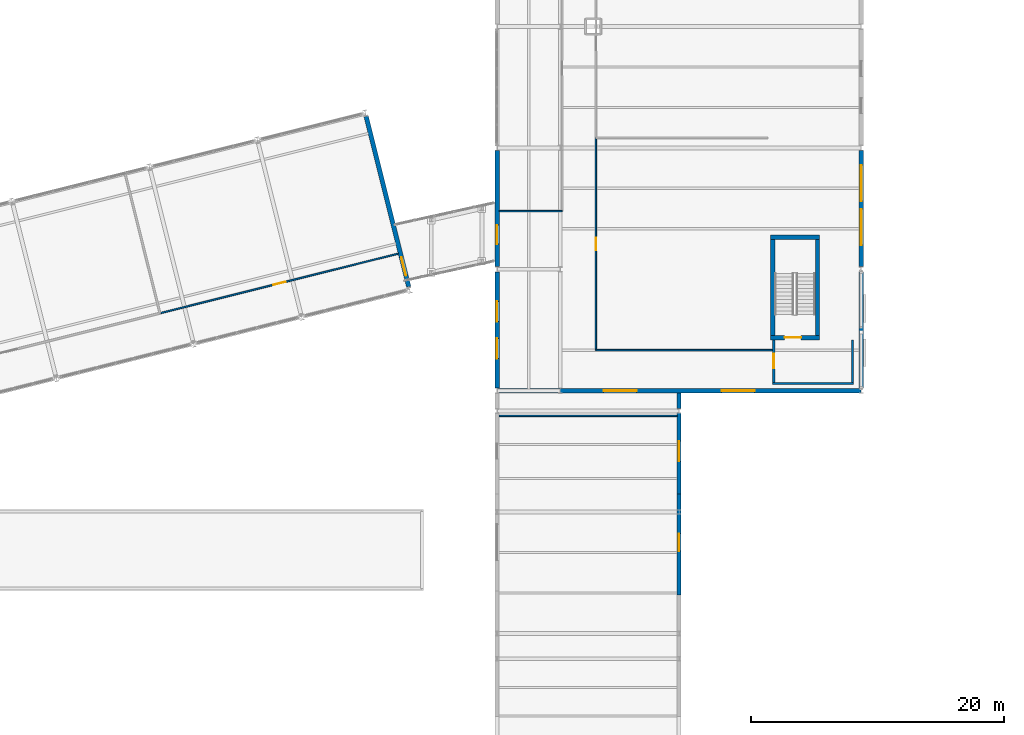
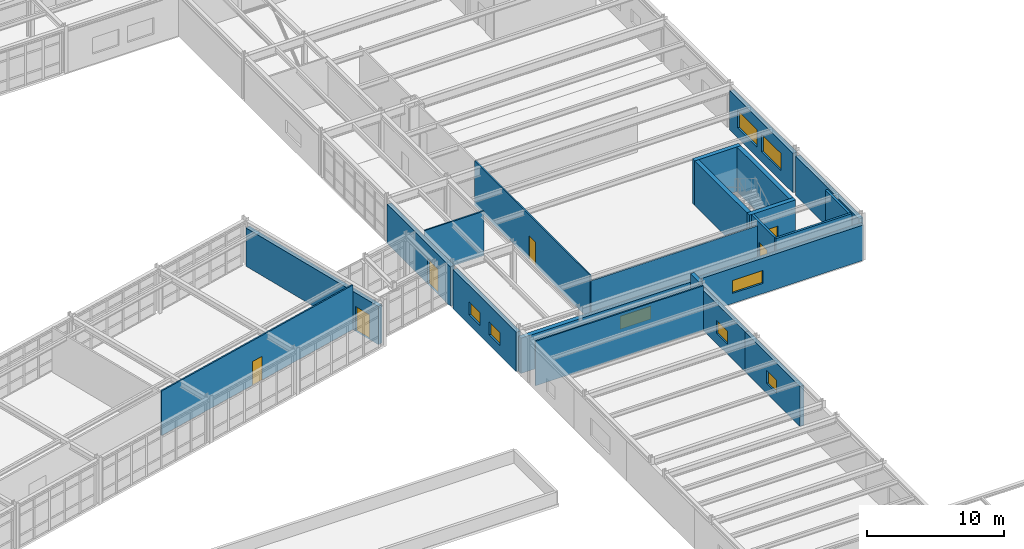
# One storey, part 83 of 99: 21 walls, 8 windows, 6 doors, 14 openings.
"""IFC4 building model written with IfcOpenShell, lengths in metres."""

from ifc_helpers import new_model, si_unit, direction, frame, frame_2d, origin, place, context, subcontext, project, spatial, rectangle, extrude, material, layer, layer_set, type_object, element, fill, save


model = new_model("IFC4")

# Units and contexts
model_context = context("Model", 3, precision=1e-05, world=origin(), true_north=direction((0.0, 1.0)))
body_context = subcontext(model_context, "Body", "Model", "MODEL_VIEW")
ifc_project = project(units=[si_unit("LENGTHUNIT", "METRE"), si_unit("AREAUNIT", "SQUARE_METRE"), si_unit("VOLUMEUNIT", "CUBIC_METRE"), si_unit("PLANEANGLEUNIT", "RADIAN"), si_unit("MASSUNIT", "GRAM", prefix="KILO")], contexts=[model_context])

# Site, building, storey
site_placement = place(None, origin())
site = spatial("IfcSite", under=ifc_project, at=site_placement, CompositionType="ELEMENT")
building_placement = place(site_placement, origin())
building = spatial("IfcBuilding", under=site, at=building_placement, Name="Nordkorset Police Headquarters", CompositionType="ELEMENT")
storey_placement = place(building_placement, frame((0.0, 0.0, 5.25)))
storey = spatial("IfcBuildingStorey", under=building, at=storey_placement, Name="L01", CompositionType="ELEMENT", Elevation=5.25)

# Wall
ifc_material_1 = material(Name="Gypsum board", Category="gypsum")
ifc_layer_1 = layer(ifc_material_1, 0.179931640625, Name="Gypsum board")
ifc_layer_set_1 = layer_set([ifc_layer_1], Name="Gypsum board")
wall_type_1 = type_object("IfcWallType", Name="Wall_Comp_180", PredefinedType="PARTITIONING", material=ifc_layer_set_1)
wall_1_placement = place(storey_placement, frame((108.199951171875, 48.56005859375, 0.0), z_axis=(0.0, 0.0, 1.0), x_axis=(1.0, 0.0, 0.0)))
element("IfcWall", 1, at=wall_1_placement, inside=storey, type_object=wall_type_1, Name="Firefighting Lobby EI 60 Wall K8 L01 S", PredefinedType="PARTITIONING", context=body_context, shape_type="SweptSolid", body=[
    extrude(rectangle(XDim=6.400146484375, YDim=0.179931640625, at=frame_2d((3.2001953125, 0.0))), origin(), (0.0, 0.0, 1.0), 3.9599609375),
])

# Wall, opening, door
wall_2_placement = place(storey_placement, frame((108.2900390625, 48.64990234375, 0.0), z_axis=(0.0, 0.0, 1.0), x_axis=(0.0, 1.0, 0.0)))
wall_2 = element("IfcWall", 2, at=wall_2_placement, inside=storey, type_object=wall_type_1, Name="Firefighting Lobby EI 60 Wall K8 L01 W", PredefinedType="PARTITIONING", context=body_context, shape_type="SweptSolid", body=[
    extrude(rectangle(XDim=3.375, YDim=0.179931640625, at=frame_2d((1.6875, 0.0))), origin(), (0.0, 0.0, 1.0), 3.9599609375),
])
opening_1_placement = place(wall_2_placement, frame((1.112548828125, 0.0, 0.0)))
opening_1 = element("IfcOpeningElement", 3, at=opening_1_placement, cuts=wall_2, Name="Opening DR-01", PredefinedType="OPENING", context=body_context, shape_type="SweptSolid", body=[
    extrude(rectangle(XDim=1.14990234375, YDim=2.14990234375, at=frame_2d((0.574951171875, 1.074951171875))), frame((0.0, 0.10009765625, 0.0), z_axis=(0.0, -1.0, 0.0), x_axis=(1.0, 0.0, 0.0)), (0.0, 0.0, 1.0), 0.199951171875),
])
ifc_material_2 = material(Name="Steel S355J2", Category="steel")
door_type_1 = type_object("IfcDoorType", Name="Door_LobbySingle_1150x2150", OperationType="NOTDEFINED", PredefinedType="DOOR", material=ifc_material_2)
door_1_placement = place(opening_1_placement, origin())
door_1 = element("IfcDoor", 4, at=door_1_placement, inside=storey, type_object=door_type_1, Name="Firefighting Lobby Smoke Door K8 L01 W", OperationType="SINGLE_SWING_RIGHT", OverallHeight=2.14990234375, OverallWidth=1.14990234375, PredefinedType="DOOR", context=body_context, shape_type="SweptSolid", body=[
    extrude(rectangle(XDim=1.14990234375, YDim=2.14990234375, at=frame_2d((0.574951171875, 1.074951171875))), frame((0.0, 0.02490234375, 0.0), z_axis=(0.0, -1.0, 0.0), x_axis=(1.0, 0.0, 0.0)), (0.0, 0.0, 1.0), 0.050048828125),
])
fill(opening_1, door_1)

# Wall
wall_3_placement = place(storey_placement, frame((114.510009765625, 48.64990234375, 0.0), z_axis=(0.0, 0.0, 1.0), x_axis=(0.0, 1.0, 0.0)))
element("IfcWall", 5, at=wall_3_placement, inside=storey, type_object=wall_type_1, Name="Firefighting Lobby EI 60 Wall K8 L01 E", PredefinedType="PARTITIONING", context=body_context, shape_type="SweptSolid", body=[
    extrude(rectangle(XDim=3.375, YDim=0.179931640625, at=frame_2d((1.6875, 0.0))), origin(), (0.0, 0.0, 1.0), 3.9599609375),
])

# Wall, opening, door
ifc_material_3 = material(Name="Concrete C35/45", Category="concrete")
ifc_layer_2 = layer(ifc_material_3, 0.35009765625, Name="Concrete C35/45")
ifc_layer_set_2 = layer_set([ifc_layer_2], Name="Concrete C35/45")
wall_type_2 = type_object("IfcWallType", Name="Wall_CoreShear_350", PredefinedType="SHEAR", material=ifc_layer_set_2)
wall_4_placement = place(storey_placement, frame((108.02490234375, 52.199951171875, 0.0), z_axis=(0.0, 0.0, 1.0), x_axis=(1.0, 0.0, 0.0)))
wall_4 = element("IfcWall", 6, at=wall_4_placement, inside=storey, type_object=wall_type_2, Name="Core K8 Stair Shaft South Shear Wall L01", PredefinedType="SHEAR", context=body_context, shape_type="SweptSolid", body=[
    extrude(rectangle(XDim=3.900146484375, YDim=0.35009765625, at=frame_2d((1.9501953125, 0.0))), origin(), (0.0, 0.0, 1.0), 3.9599609375),
])
opening_2_placement = place(wall_4_placement, frame((1.125, 0.0, 0.0)))
opening_2 = element("IfcOpeningElement", 7, at=opening_2_placement, cuts=wall_4, Name="Opening DR-20", PredefinedType="OPENING", context=body_context, shape_type="SweptSolid", body=[
    extrude(rectangle(XDim=1.300048828125, YDim=2.14990234375, at=frame_2d((0.64990234375, 1.074951171875))), frame((0.0, 0.18505859375, 0.0), z_axis=(0.0, -1.0, 0.0), x_axis=(1.0, 0.0, 0.0)), (0.0, 0.0, 1.0), 0.3701171875),
])
ifc_material_4 = material(Name="Steel S355J2", Category="steel")
door_type_2 = type_object("IfcDoorType", Name="Door_Stair_1300x2150", OperationType="NOTDEFINED", PredefinedType="DOOR", material=ifc_material_4)
door_2_placement = place(opening_2_placement, frame((1.300048828125, 0.0, 0.0), z_axis=(0.0, 0.0, 1.0), x_axis=(-1.0, 0.0, 0.0)))
door_2 = element("IfcDoor", 8, at=door_2_placement, inside=storey, type_object=door_type_2, Name="Protected Stair Fire Door ST-09 L01", OperationType="SINGLE_SWING_LEFT", OverallHeight=2.14990234375, OverallWidth=1.300048828125, PredefinedType="DOOR", context=body_context, shape_type="SweptSolid", body=[
    extrude(rectangle(XDim=1.300048828125, YDim=2.14990234375, at=frame_2d((0.64990234375, 1.074951171875))), frame((0.0, 0.02490234375, 0.0), z_axis=(0.0, -1.0, 0.0), x_axis=(1.0, 0.0, 0.0)), (0.0, 0.0, 1.0), 0.050048828125),
])
fill(opening_2, door_2)

# Walls
wall_5_placement = place(storey_placement, frame((108.02490234375, 60.14990234375, 0.0), z_axis=(0.0, 0.0, 1.0), x_axis=(1.0, 0.0, 0.0)))
element("IfcWall", 9, at=wall_5_placement, inside=storey, type_object=wall_type_2, Name="Core K8 Stair Shaft North Shear Wall L01", PredefinedType="SHEAR", context=body_context, shape_type="SweptSolid", body=[
    extrude(rectangle(XDim=3.900146484375, YDim=0.35009765625, at=frame_2d((1.9501953125, 0.0))), origin(), (0.0, 0.0, 1.0), 3.9599609375),
])
for number, where, z_axis, x_axis, name in (
    (10, (108.199951171875, 52.375, 0.0), (0.0, 0.0, 1.0), (0.0, 1.0, 0.0), "Core K8 Stair Shaft West Shear Wall L01"),
    (11, (111.75, 52.375, 0.0), (0.0, 0.0, 1.0), (0.0, 1.0, 0.0), "Core K8 Stair Shaft East Shear Wall L01"),
):
    element("IfcWall", number, at=place(storey_placement, frame(where, z_axis=z_axis, x_axis=x_axis)), inside=storey, type_object=wall_type_2, Name=name, PredefinedType="SHEAR", context=body_context, shape_type="SweptSolid", body=[
        extrude(rectangle(XDim=7.60009765625, YDim=0.35009765625, at=frame_2d((3.800048828125, 0.0))), origin(), (0.0, 0.0, 1.0), 3.9599609375),
    ])

# Wall, opening, window
ifc_material_5 = material(Name="Precast concrete C40/50", Category="concrete")
ifc_layer_3 = layer(ifc_material_5, 0.320068359375, Name="Precast concrete C40/50")
ifc_layer_set_3 = layer_set([ifc_layer_3], Name="Precast concrete C40/50")
wall_type_3 = type_object("IfcWallType", Name="Wall_ExtPlinth_320", PredefinedType="SOLIDWALL", material=ifc_layer_set_3)
wall_6_placement = place(storey_placement, frame((100.800048828125, 31.840087890625, 0.0), z_axis=(0.0, 0.0, 1.0), x_axis=(0.0, 1.0, 0.0)))
wall_6 = element("IfcWall", 12, at=wall_6_placement, inside=storey, type_object=wall_type_3, Name="Exterior Insulated Precast Wall L01 V7E-OUT-2", PredefinedType="SOLIDWALL", context=body_context, shape_type="SweptSolid", body=[
    extrude(rectangle(XDim=8.31982421875, YDim=0.320068359375, at=frame_2d((4.159912109375, 0.0))), origin(), (0.0, 0.0, 1.0), 3.554931640625),
])
opening_3_placement = place(wall_6_placement, frame((3.4599609375, 0.0, 0.89990234375)))
opening_3 = element("IfcOpeningElement", 13, at=opening_3_placement, cuts=wall_6, Name="Opening WN-16", PredefinedType="OPENING", context=body_context, shape_type="SweptSolid", body=[
    extrude(rectangle(XDim=1.39990234375, YDim=1.14990234375, at=frame_2d((0.699951171875, 0.574951171875))), frame((0.0, 0.169921875, 0.0), z_axis=(0.0, -1.0, 0.0), x_axis=(1.0, 0.0, 0.0)), (0.0, 0.0, 1.0), 0.340087890625),
])
ifc_material_6 = material(Name="Low-iron triple glazing", Category="glass")
window_type_1 = type_object("IfcWindowType", Name="Win_1400x1150", PartitioningType="SINGLE_PANEL", PredefinedType="WINDOW", material=ifc_material_6)
window_1_placement = place(opening_3_placement, origin())
window_1 = element("IfcWindow", 14, at=window_1_placement, inside=storey, type_object=window_type_1, Name="Triple-Glazed Exterior Window L01 V7E-OUT-2-1", OverallHeight=1.14990234375, OverallWidth=1.39990234375, PartitioningType="SINGLE_PANEL", PredefinedType="WINDOW", context=body_context, shape_type="SweptSolid", body=[
    extrude(rectangle(XDim=1.39990234375, YDim=1.14990234375, at=frame_2d((0.699951171875, 0.574951171875))), frame((0.0, 0.030029296875, 0.0), z_axis=(0.0, -1.0, 0.0), x_axis=(1.0, 0.0, 0.0)), (0.0, 0.0, 1.0), 0.06005859375),
])
fill(opening_3, window_1)

wall_7_placement = place(storey_placement, frame((100.800048828125, 39.840087890625, 0.0), z_axis=(0.0, 0.0, 1.0), x_axis=(0.0, 1.0, 0.0)))
wall_7 = element("IfcWall", 15, at=wall_7_placement, inside=storey, type_object=wall_type_3, Name="Exterior Insulated Precast Wall L01 V7E-OUT-3", PredefinedType="SOLIDWALL", context=body_context, shape_type="SweptSolid", body=[
    extrude(rectangle(XDim=6.387939453125, YDim=0.320068359375, at=frame_2d((3.19384765625, 0.0))), origin(), (0.0, 0.0, 1.0), 3.554931640625),
])
opening_4_placement = place(wall_7_placement, frame((2.56005859375, 0.0, 0.89990234375)))
opening_4 = element("IfcOpeningElement", 16, at=opening_4_placement, cuts=wall_7, Name="Opening WN-17", PredefinedType="OPENING", context=body_context, shape_type="SweptSolid", body=[
    extrude(rectangle(XDim=1.60009765625, YDim=1.14990234375, at=frame_2d((0.800048828125, 0.574951171875))), frame((0.0, 0.169921875, 0.0), z_axis=(0.0, -1.0, 0.0), x_axis=(1.0, 0.0, 0.0)), (0.0, 0.0, 1.0), 0.340087890625),
])
ifc_material_7 = material(Name="Low-iron triple glazing", Category="glass")
window_type_2 = type_object("IfcWindowType", Name="Win_1600x1150", PartitioningType="SINGLE_PANEL", PredefinedType="WINDOW", material=ifc_material_7)
window_2_placement = place(opening_4_placement, origin())
window_2 = element("IfcWindow", 17, at=window_2_placement, inside=storey, type_object=window_type_2, Name="Triple-Glazed Exterior Window L01 V7E-OUT-3-1", OverallHeight=1.14990234375, OverallWidth=1.60009765625, PartitioningType="SINGLE_PANEL", PredefinedType="WINDOW", context=body_context, shape_type="SweptSolid", body=[
    extrude(rectangle(XDim=1.60009765625, YDim=1.14990234375, at=frame_2d((0.800048828125, 0.574951171875))), frame((0.0, 0.030029296875, 0.0), z_axis=(0.0, -1.0, 0.0), x_axis=(1.0, 0.0, 0.0)), (0.0, 0.0, 1.0), 0.06005859375),
])
fill(opening_4, window_2)

# Wall
wall_8_placement = place(storey_placement, frame((100.800048828125, 46.572021484375, 0.0), z_axis=(0.0, 0.0, 1.0), x_axis=(0.0, 1.0, 0.0)))
element("IfcWall", 18, at=wall_8_placement, inside=storey, type_object=wall_type_3, Name="Exterior Insulated Precast Wall L01 V7E-JNC-O", PredefinedType="SOLIDWALL", context=body_context, shape_type="SweptSolid", body=[
    extrude(rectangle(XDim=1.251953125, YDim=0.320068359375, at=frame_2d((0.6259765625, 0.0))), origin(), (0.0, 0.0, 1.0), 3.89990234375),
])

# Wall, opening, door
ifc_material_8 = material(Name="Precast concrete C40/50", Category="concrete")
ifc_layer_4 = layer(ifc_material_8, 0.360107421875, Name="Precast concrete C40/50")
ifc_layer_set_4 = layer_set([ifc_layer_4], Name="Precast concrete C40/50")
wall_type_4 = type_object("IfcWallType", Name="Wall_ExtPrecast_360", PredefinedType="SOLIDWALL", material=ifc_layer_set_4)
wall_9_placement = place(storey_placement, frame((79.419189453125, 56.214599609375, 0.0), z_axis=(0.0, 0.0, 1.0), x_axis=(-0.242543892923, 0.970140433136, 0.0)))
wall_9 = element("IfcWall", 19, at=wall_9_placement, inside=storey, type_object=wall_type_4, Name="Exterior Insulated Precast Wall L01 V4E-0", PredefinedType="SOLIDWALL", context=body_context, shape_type="SweptSolid", body=[
    extrude(rectangle(XDim=13.89599609375, YDim=0.360107421875, at=frame_2d((6.947998046875, 0.0))), origin(), (0.0, 0.0, 1.0), 3.39990234375),
])
opening_5_placement = place(wall_9_placement, frame((0.91796875, 0.0, 0.0)))
opening_5 = element("IfcOpeningElement", 20, at=opening_5_placement, cuts=wall_9, Name="Opening EXD-03", PredefinedType="OPENING", context=body_context, shape_type="SweptSolid", body=[
    extrude(rectangle(XDim=1.5, YDim=2.199951171875, at=frame_2d((0.75, 1.10009765625))), frame((0.0, 0.18994140625, 0.0), z_axis=(0.0, -1.0, 0.0), x_axis=(1.0, 0.0, 0.0)), (0.0, 0.0, 1.0), 0.380126953125),
])
ifc_material_9 = material(Name="Aluminium alloy AW-6060", Category="aluminium")
door_type_3 = type_object("IfcDoorType", Name="ExtDoor_BridgePortal_1500x2200", OperationType="DOUBLE_DOOR_SINGLE_SWING", PredefinedType="DOOR", material=ifc_material_9)
door_3_placement = place(opening_5_placement, frame((1.5, 0.0, 0.0), z_axis=(0.0, 0.0, 1.0), x_axis=(-1.0, 0.0, 0.0)))
door_3 = element("IfcDoor", 21, at=door_3_placement, inside=storey, type_object=door_type_3, Name="East Link Bridge Portal Door V4 L01", OperationType="SINGLE_SWING_LEFT", OverallHeight=2.199951171875, OverallWidth=1.5, PredefinedType="DOOR", context=body_context, shape_type="SweptSolid", body=[
    extrude(rectangle(XDim=1.5, YDim=2.199951171875, at=frame_2d((0.75, 1.10009765625))), frame((0.0, 0.02490234375, 0.0), z_axis=(0.0, -1.0, 0.0), x_axis=(1.0, 0.0, 0.0)), (0.0, 0.0, 1.0), 0.050048828125),
])
fill(opening_5, door_3)

# Wall
wall_10_placement = place(storey_placement, frame((115.199951171875, 48.201904296875, 0.0), z_axis=(0.0, 0.0, 1.0), x_axis=(0.0, 1.0, 0.0)))
element("IfcWall", 22, at=wall_10_placement, inside=storey, type_object=wall_type_4, Name="Exterior Insulated Precast Wall L01 V5E-0", PredefinedType="SOLIDWALL", context=body_context, shape_type="SweptSolid", body=[
    extrude(rectangle(XDim=9.196044921875, YDim=0.360107421875, at=frame_2d((4.59814453125, 0.0))), origin(), (0.0, 0.0, 1.0), 3.5),
])

# Wall, openings, windows
wall_11_placement = place(storey_placement, frame((86.39990234375, 48.201904296875, 0.0), z_axis=(0.0, 0.0, 1.0), x_axis=(0.0, 1.0, 0.0)))
wall_11 = element("IfcWall", 23, at=wall_11_placement, inside=storey, type_object=wall_type_4, Name="Exterior Insulated Precast Wall L01 V5W-0", PredefinedType="SOLIDWALL", context=body_context, shape_type="SweptSolid", body=[
    extrude(rectangle(XDim=9.196044921875, YDim=0.360107421875, at=frame_2d((4.59814453125, 0.0))), origin(), (0.0, 0.0, 1.0), 3.5),
])
opening_6_placement = place(wall_11_placement, frame((2.331298828125, 0.0, 0.89990234375)))
opening_6 = element("IfcOpeningElement", 24, at=opening_6_placement, cuts=wall_11, Name="Opening WN-17", PredefinedType="OPENING", context=body_context, shape_type="SweptSolid", body=[
    extrude(rectangle(XDim=1.60009765625, YDim=1.14990234375, at=frame_2d((0.800048828125, 0.574951171875))), frame((0.0, 0.18994140625, 0.0), z_axis=(0.0, -1.0, 0.0), x_axis=(1.0, 0.0, 0.0)), (0.0, 0.0, 1.0), 0.380126953125),
])
opening_7_placement = place(wall_11_placement, frame((5.2646484375, 0.0, 0.89990234375)))
opening_7 = element("IfcOpeningElement", 25, at=opening_7_placement, cuts=wall_11, Name="Opening WN-17", PredefinedType="OPENING", context=body_context, shape_type="SweptSolid", body=[
    extrude(rectangle(XDim=1.60009765625, YDim=1.14990234375, at=frame_2d((0.800048828125, 0.574951171875))), frame((0.0, 0.18994140625, 0.0), z_axis=(0.0, -1.0, 0.0), x_axis=(1.0, 0.0, 0.0)), (0.0, 0.0, 1.0), 0.380126953125),
])
window_3_placement = place(opening_6_placement, origin())
window_3 = element("IfcWindow", 26, at=window_3_placement, inside=storey, type_object=window_type_2, Name="Triple-Glazed Exterior Window L01 V5W-0-1", OverallHeight=1.14990234375, OverallWidth=1.60009765625, PartitioningType="SINGLE_PANEL", PredefinedType="WINDOW", context=body_context, shape_type="SweptSolid", body=[
    extrude(rectangle(XDim=1.60009765625, YDim=1.14990234375, at=frame_2d((0.800048828125, 0.574951171875))), frame((0.0, 0.030029296875, 0.0), z_axis=(0.0, -1.0, 0.0), x_axis=(1.0, 0.0, 0.0)), (0.0, 0.0, 1.0), 0.06005859375),
])
fill(opening_6, window_3)
window_4_placement = place(opening_7_placement, origin())
window_4 = element("IfcWindow", 27, at=window_4_placement, inside=storey, type_object=window_type_2, Name="Triple-Glazed Exterior Window L01 V5W-0-2", OverallHeight=1.14990234375, OverallWidth=1.60009765625, PartitioningType="SINGLE_PANEL", PredefinedType="WINDOW", context=body_context, shape_type="SweptSolid", body=[
    extrude(rectangle(XDim=1.60009765625, YDim=1.14990234375, at=frame_2d((0.800048828125, 0.574951171875))), frame((0.0, 0.030029296875, 0.0), z_axis=(0.0, -1.0, 0.0), x_axis=(1.0, 0.0, 0.0)), (0.0, 0.0, 1.0), 0.06005859375),
])
fill(opening_7, window_4)

wall_12_placement = place(storey_placement, frame((115.199951171875, 57.802001953125, 0.0), z_axis=(0.0, 0.0, 1.0), x_axis=(0.0, 1.0, 0.0)))
wall_12 = element("IfcWall", 28, at=wall_12_placement, inside=storey, type_object=wall_type_4, Name="Exterior Insulated Precast Wall L01 V5E-1", PredefinedType="SOLIDWALL", context=body_context, shape_type="SweptSolid", body=[
    extrude(rectangle(XDim=9.196044921875, YDim=0.360107421875, at=frame_2d((4.59814453125, 0.0))), origin(), (0.0, 0.0, 1.0), 3.5),
])
opening_8_placement = place(wall_12_placement, frame((1.706298828125, 0.0, 0.89990234375)))
opening_8 = element("IfcOpeningElement", 29, at=opening_8_placement, cuts=wall_12, Name="Opening WN-42", PredefinedType="OPENING", context=body_context, shape_type="SweptSolid", body=[
    extrude(rectangle(XDim=2.85009765625, YDim=1.550048828125, at=frame_2d((1.425048828125, 0.77490234375))), frame((0.0, 0.18994140625, 0.0), z_axis=(0.0, -1.0, 0.0), x_axis=(1.0, 0.0, 0.0)), (0.0, 0.0, 1.0), 0.380126953125),
])
opening_9_placement = place(wall_12_placement, frame((5.189697265625, 0.0, 0.89990234375)))
opening_9 = element("IfcOpeningElement", 30, at=opening_9_placement, cuts=wall_12, Name="Opening WN-42", PredefinedType="OPENING", context=body_context, shape_type="SweptSolid", body=[
    extrude(rectangle(XDim=2.85009765625, YDim=1.550048828125, at=frame_2d((1.425048828125, 0.77490234375))), frame((0.0, 0.18994140625, 0.0), z_axis=(0.0, -1.0, 0.0), x_axis=(1.0, 0.0, 0.0)), (0.0, 0.0, 1.0), 0.380126953125),
])
ifc_material_10 = material(Name="Low-iron triple glazing", Category="glass")
window_type_3 = type_object("IfcWindowType", Name="Win_2850x1550", PartitioningType="SINGLE_PANEL", PredefinedType="WINDOW", material=ifc_material_10)
window_5_placement = place(opening_8_placement, origin())
window_5 = element("IfcWindow", 31, at=window_5_placement, inside=storey, type_object=window_type_3, Name="Triple-Glazed Exterior Window L01 V5E-1-1", OverallHeight=1.550048828125, OverallWidth=2.85009765625, PartitioningType="SINGLE_PANEL", PredefinedType="WINDOW", context=body_context, shape_type="SweptSolid", body=[
    extrude(rectangle(XDim=2.85009765625, YDim=1.550048828125, at=frame_2d((1.425048828125, 0.77490234375))), frame((0.0, 0.030029296875, 0.0), z_axis=(0.0, -1.0, 0.0), x_axis=(1.0, 0.0, 0.0)), (0.0, 0.0, 1.0), 0.06005859375),
])
fill(opening_8, window_5)
window_6_placement = place(opening_9_placement, origin())
window_6 = element("IfcWindow", 32, at=window_6_placement, inside=storey, type_object=window_type_3, Name="Triple-Glazed Exterior Window L01 V5E-1-2", OverallHeight=1.550048828125, OverallWidth=2.85009765625, PartitioningType="SINGLE_PANEL", PredefinedType="WINDOW", context=body_context, shape_type="SweptSolid", body=[
    extrude(rectangle(XDim=2.85009765625, YDim=1.550048828125, at=frame_2d((1.425048828125, 0.77490234375))), frame((0.0, 0.030029296875, 0.0), z_axis=(0.0, -1.0, 0.0), x_axis=(1.0, 0.0, 0.0)), (0.0, 0.0, 1.0), 0.06005859375),
])
fill(opening_9, window_6)

# Wall, opening, door
wall_13_placement = place(storey_placement, frame((86.39990234375, 57.802001953125, 0.0), z_axis=(0.0, 0.0, 1.0), x_axis=(0.0, 1.0, 0.0)))
wall_13 = element("IfcWall", 33, at=wall_13_placement, inside=storey, type_object=wall_type_4, Name="Exterior Insulated Precast Wall L01 V5W-1", PredefinedType="SOLIDWALL", context=body_context, shape_type="SweptSolid", body=[
    extrude(rectangle(XDim=9.196044921875, YDim=0.360107421875, at=frame_2d((4.59814453125, 0.0))), origin(), (0.0, 0.0, 1.0), 3.5),
])
opening_10_placement = place(wall_13_placement, frame((1.798095703125, 0.0, 0.0)))
opening_10 = element("IfcOpeningElement", 34, at=opening_10_placement, cuts=wall_13, Name="Opening EXD-03", PredefinedType="OPENING", context=body_context, shape_type="SweptSolid", body=[
    extrude(rectangle(XDim=1.5, YDim=2.199951171875, at=frame_2d((0.75, 1.10009765625))), frame((0.0, 0.18994140625, 0.0), z_axis=(0.0, -1.0, 0.0), x_axis=(1.0, 0.0, 0.0)), (0.0, 0.0, 1.0), 0.380126953125),
])
door_4_placement = place(opening_10_placement, origin())
door_4 = element("IfcDoor", 35, at=door_4_placement, inside=storey, type_object=door_type_3, Name="East Link Bridge Portal Door V5 L01", OperationType="SINGLE_SWING_LEFT", OverallHeight=2.199951171875, OverallWidth=1.5, PredefinedType="DOOR", context=body_context, shape_type="SweptSolid", body=[
    extrude(rectangle(XDim=1.5, YDim=2.199951171875, at=frame_2d((0.75, 1.10009765625))), frame((0.0, 0.02490234375, 0.0), z_axis=(0.0, -1.0, 0.0), x_axis=(1.0, 0.0, 0.0)), (0.0, 0.0, 1.0), 0.050048828125),
])
fill(opening_10, door_4)

# Wall, openings, windows
wall_14_placement = place(storey_placement, frame((86.40869140625, 48.0, 0.0), z_axis=(0.0, 0.0, 1.0), x_axis=(1.0, 0.0, 0.0)))
wall_14 = element("IfcWall", 36, at=wall_14_placement, inside=storey, type_object=wall_type_4, Name="Exterior Insulated Precast Wall L01 V5S-0", PredefinedType="SOLIDWALL", context=body_context, shape_type="SweptSolid", body=[
    extrude(rectangle(XDim=28.782470703125, YDim=0.360107421875, at=frame_2d((14.39111328125, 0.0))), origin(), (0.0, 0.0, 1.0), 3.139892578125),
])
opening_11_placement = place(wall_14_placement, frame((8.424560546875, 0.0, 0.89990234375)))
opening_11 = element("IfcOpeningElement", 37, at=opening_11_placement, cuts=wall_14, Name="Opening WN-40", PredefinedType="OPENING", context=body_context, shape_type="SweptSolid", body=[
    extrude(rectangle(XDim=2.60009765625, YDim=1.14990234375, at=frame_2d((1.300048828125, 0.574951171875))), frame((0.0, 0.18994140625, 0.0), z_axis=(0.0, -1.0, 0.0), x_axis=(1.0, 0.0, 0.0)), (0.0, 0.0, 1.0), 0.380126953125),
])
opening_12_placement = place(wall_14_placement, frame((17.758056640625, 0.0, 0.89990234375)))
opening_12 = element("IfcOpeningElement", 38, at=opening_12_placement, cuts=wall_14, Name="Opening WN-40", PredefinedType="OPENING", context=body_context, shape_type="SweptSolid", body=[
    extrude(rectangle(XDim=2.60009765625, YDim=1.14990234375, at=frame_2d((1.300048828125, 0.574951171875))), frame((0.0, 0.18994140625, 0.0), z_axis=(0.0, -1.0, 0.0), x_axis=(1.0, 0.0, 0.0)), (0.0, 0.0, 1.0), 0.380126953125),
])
ifc_material_11 = material(Name="Low-iron triple glazing", Category="glass")
window_type_4 = type_object("IfcWindowType", Name="Win_2600x1150", PartitioningType="SINGLE_PANEL", PredefinedType="WINDOW", material=ifc_material_11)
window_7_placement = place(opening_11_placement, origin())
window_7 = element("IfcWindow", 39, at=window_7_placement, inside=storey, type_object=window_type_4, Name="Triple-Glazed Exterior Window L01 V5S-0-1", OverallHeight=1.14990234375, OverallWidth=2.60009765625, PartitioningType="SINGLE_PANEL", PredefinedType="WINDOW", context=body_context, shape_type="SweptSolid", body=[
    extrude(rectangle(XDim=2.60009765625, YDim=1.14990234375, at=frame_2d((1.300048828125, 0.574951171875))), frame((0.0, 0.030029296875, 0.0), z_axis=(0.0, -1.0, 0.0), x_axis=(1.0, 0.0, 0.0)), (0.0, 0.0, 1.0), 0.06005859375),
])
fill(opening_11, window_7)
window_8_placement = place(opening_12_placement, origin())
window_8 = element("IfcWindow", 40, at=window_8_placement, inside=storey, type_object=window_type_4, Name="Triple-Glazed Exterior Window L01 V5S-0-2", OverallHeight=1.14990234375, OverallWidth=2.60009765625, PartitioningType="SINGLE_PANEL", PredefinedType="WINDOW", context=body_context, shape_type="SweptSolid", body=[
    extrude(rectangle(XDim=2.60009765625, YDim=1.14990234375, at=frame_2d((1.300048828125, 0.574951171875))), frame((0.0, 0.030029296875, 0.0), z_axis=(0.0, -1.0, 0.0), x_axis=(1.0, 0.0, 0.0)), (0.0, 0.0, 1.0), 0.06005859375),
])
fill(opening_12, window_8)

# Wall, opening, door
ifc_material_12 = material(Name="Gypsum board", Category="gypsum")
ifc_layer_5 = layer(ifc_material_12, 0.1201171875, Name="Gypsum board")
ifc_layer_set_5 = layer_set([ifc_layer_5], Name="Gypsum board")
wall_type_5 = type_object("IfcWallType", Name="Wall_Part_120", PredefinedType="PARTITIONING", material=ifc_layer_set_5)
wall_15_placement = place(storey_placement, frame((59.80078125, 54.142578125, 0.0), z_axis=(0.0, 0.0, 1.0), x_axis=(0.970141758344, 0.242538592222, 0.0)))
wall_15 = element("IfcWall", 41, at=wall_15_placement, inside=storey, type_object=wall_type_5, Name="Interior Partition Wall Joint Agency Operations Seminar Hall", PredefinedType="PARTITIONING", context=body_context, shape_type="SweptSolid", body=[
    extrude(rectangle(XDim=19.360107421875, YDim=0.1201171875, at=frame_2d((9.68017578125, 0.0))), origin(), (0.0, 0.0, 1.0), 3.9599609375),
])
opening_13_placement = place(wall_15_placement, frame((9.18994140625, 0.0, 0.0)))
opening_13 = element("IfcOpeningElement", 42, at=opening_13_placement, cuts=wall_15, Name="Opening DR-18", PredefinedType="OPENING", context=body_context, shape_type="SweptSolid", body=[
    extrude(rectangle(XDim=0.97998046875, YDim=2.10009765625, at=frame_2d((0.489990234375, 1.050048828125))), frame((0.0, 0.070068359375, 0.0), z_axis=(0.0, -1.0, 0.0), x_axis=(1.0, 0.0, 0.0)), (0.0, 0.0, 1.0), 0.14013671875),
])
ifc_material_13 = material(Name="Glulam GL30c", Category="wood")
door_type_4 = type_object("IfcDoorType", Name="Door_Office_980x2100", OperationType="NOTDEFINED", PredefinedType="DOOR", material=ifc_material_13)
door_5_placement = place(opening_13_placement, frame((0.97998046875, 0.0, 0.0), z_axis=(0.0, 0.0, 1.0), x_axis=(-1.0, 0.0, 0.0)))
door_5 = element("IfcDoor", 43, at=door_5_placement, inside=storey, type_object=door_type_4, Name="Interior Door Joint Agency Operations Seminar Hall", OperationType="SINGLE_SWING_RIGHT", OverallHeight=2.10009765625, OverallWidth=0.97998046875, PredefinedType="DOOR", context=body_context, shape_type="SweptSolid", body=[
    extrude(rectangle(XDim=0.97998046875, YDim=2.10009765625, at=frame_2d((0.489990234375, 1.050048828125))), frame((0.0, 0.02490234375, 0.0), z_axis=(0.0, -1.0, 0.0), x_axis=(1.0, 0.0, 0.0)), (0.0, 0.0, 1.0), 0.050048828125),
])
fill(opening_13, door_5)

# Walls
wall_16_placement = place(storey_placement, frame((86.574951171875, 62.199951171875, 0.0), z_axis=(0.0, 0.0, 1.0), x_axis=(1.0, 0.0, 0.0)))
element("IfcWall", 44, at=wall_16_placement, inside=storey, type_object=wall_type_5, Name="Interior Partition Wall Tactical Instructor Workroom", PredefinedType="PARTITIONING", context=body_context, shape_type="SweptSolid", body=[
    extrude(rectangle(XDim=4.97509765625, YDim=0.1201171875, at=frame_2d((2.487548828125, 0.0))), origin(), (0.0, 0.0, 1.0), 3.9599609375),
])
wall_17_placement = place(storey_placement, frame((94.219970703125, 51.199951171875, 0.0), z_axis=(0.0, 0.0, 1.0), x_axis=(1.0, 0.0, 0.0)))
element("IfcWall", 45, at=wall_17_placement, inside=storey, type_object=wall_type_5, Name="Interior Partition Wall Tactical Dojo Hall", PredefinedType="PARTITIONING", context=body_context, shape_type="SweptSolid", body=[
    extrude(rectangle(XDim=13.985107421875, YDim=0.1201171875, at=frame_2d((6.99267578125, 0.0))), origin(), (0.0, 0.0, 1.0), 3.489990234375),
])

# Wall, opening, door
wall_18_placement = place(storey_placement, frame((94.219970703125, 68.0, 0.0), z_axis=(0.0, 0.0, 1.0), x_axis=(0.0, -1.0, 0.0)))
wall_18 = element("IfcWall", 46, at=wall_18_placement, inside=storey, type_object=wall_type_5, Name="Interior Partition Wall Tactical Dojo Hall", PredefinedType="PARTITIONING", context=body_context, shape_type="SweptSolid", body=[
    extrude(rectangle(XDim=16.800048828125, YDim=0.1201171875, at=frame_2d((8.39990234375, 0.0))), origin(), (0.0, 0.0, 1.0), 3.9599609375),
])
opening_14_placement = place(wall_18_placement, frame((7.909912109375, 0.0, 0.0)))
opening_14 = element("IfcOpeningElement", 47, at=opening_14_placement, cuts=wall_18, Name="Opening DR-18", PredefinedType="OPENING", context=body_context, shape_type="SweptSolid", body=[
    extrude(rectangle(XDim=0.97998046875, YDim=2.10009765625, at=frame_2d((0.489990234375, 1.050048828125))), frame((0.0, 0.070068359375, 0.0), z_axis=(0.0, -1.0, 0.0), x_axis=(1.0, 0.0, 0.0)), (0.0, 0.0, 1.0), 0.14013671875),
])
door_6_placement = place(opening_14_placement, frame((0.97998046875, 0.0, 0.0), z_axis=(0.0, 0.0, 1.0), x_axis=(-1.0, 0.0, 0.0)))
door_6 = element("IfcDoor", 48, at=door_6_placement, inside=storey, type_object=door_type_4, Name="Interior Door Tactical Dojo Hall", OperationType="SINGLE_SWING_RIGHT", OverallHeight=2.10009765625, OverallWidth=0.97998046875, PredefinedType="DOOR", context=body_context, shape_type="SweptSolid", body=[
    extrude(rectangle(XDim=0.97998046875, YDim=2.10009765625, at=frame_2d((0.489990234375, 1.050048828125))), frame((0.0, 0.02490234375, 0.0), z_axis=(0.0, -1.0, 0.0), x_axis=(1.0, 0.0, 0.0)), (0.0, 0.0, 1.0), 0.050048828125),
])
fill(opening_14, door_6)

# Wall
wall_19_placement = place(storey_placement, frame((100.64501953125, 46.0, 0.0), z_axis=(0.0, 0.0, 1.0), x_axis=(-1.0, 0.0, 0.0)))
element("IfcWall", 49, at=wall_19_placement, inside=storey, type_object=wall_type_5, Name="Interior Partition Wall Emergency Planning Liaison Suite", PredefinedType="PARTITIONING", context=body_context, shape_type="SweptSolid", body=[
    extrude(rectangle(XDim=14.090087890625, YDim=0.1201171875, at=frame_2d((7.044921875, 0.0))), origin(), (0.0, 0.0, 1.0), 3.9599609375),
])

save(model, "model.ifc")
